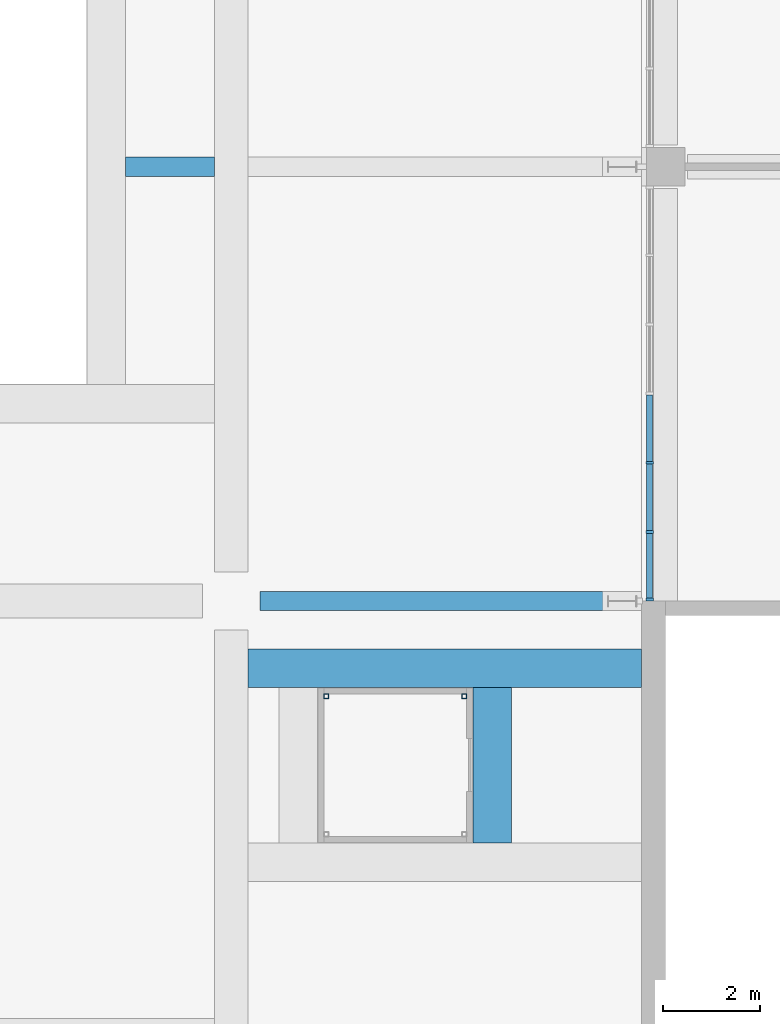
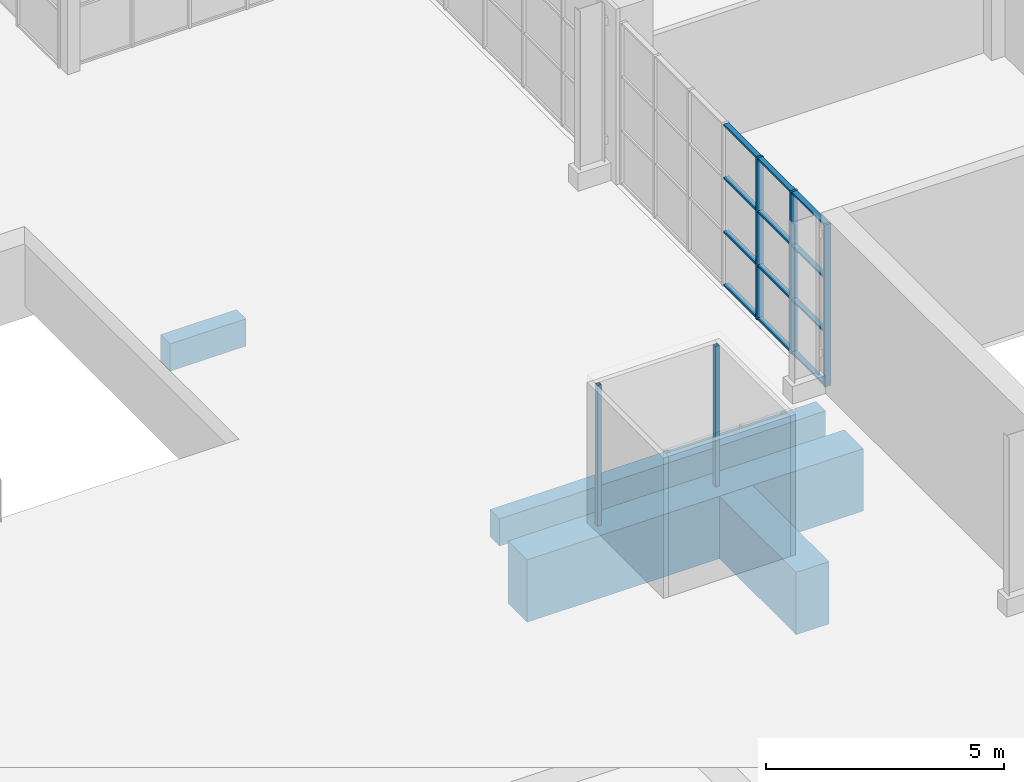
# One storey, part 21 of 168: 17 members, 4 beams, 1 element without a shape of its own.
"""IFC4 building model written with IfcOpenShell, lengths in metres."""

from ifc_helpers import new_model, si_unit, direction, frame, origin, origin_2d, place, context, subcontext, project, spatial, rectangle, hollow_rectangle, extrude, material, material_profile, profile_set, type_object, element, aggregate, save


model = new_model("IFC4")

# Units and contexts
model_context = context("Model", 3, precision=1e-05, world=origin(), true_north=direction((0.0, 1.0)))
body_context = subcontext(model_context, "Body", "Model", "MODEL_VIEW")
ifc_project = project(units=[si_unit("LENGTHUNIT", "METRE"), si_unit("AREAUNIT", "SQUARE_METRE"), si_unit("VOLUMEUNIT", "CUBIC_METRE"), si_unit("PLANEANGLEUNIT", "RADIAN"), si_unit("MASSUNIT", "GRAM", prefix="KILO")], contexts=[model_context])

# Site, building, storey
site_placement = place(None, origin())
site = spatial("IfcSite", under=ifc_project, at=site_placement, CompositionType="ELEMENT")
building_placement = place(site_placement, origin())
building = spatial("IfcBuilding", under=site, at=building_placement, Name="Silverbay Arena", CompositionType="ELEMENT")
storey_placement = place(building_placement, frame((0.0, 0.0, 7.0)))
storey = spatial("IfcBuildingStorey", under=building, at=storey_placement, Name="L01", CompositionType="ELEMENT", Elevation=7.0)

# Members
ifc_material_1 = material(Name="Steel S355", Category="steel")
ifc_material_profile_1 = material_profile(ifc_material_1, hollow_rectangle(XDim=0.10009765625, YDim=0.10009765625, WallThickness=0.006103515625, at=origin_2d()), Name="RHS 100x100x6")
ifc_profile_set_1 = profile_set([ifc_material_profile_1], Name="Steel S355")
member_type_1 = type_object("IfcMemberType", Name="Glazing post RHS 100 x 100 x 6", PredefinedType="POST", material=ifc_profile_set_1)
for number, where, z_axis, x_axis, name in (
    (1, (22.830078125, 34.030029296875, 0.0), (0.0, 0.0, 1.0), (1.0, 0.0, 0.0), "Glazing post LB-D1 3 L01"),
    (2, (19.969970703125, 34.030029296875, 0.0), (0.0, 0.0, 1.0), (1.0, 0.0, 0.0), "Glazing post LB-D1 4 L01"),
):
    element("IfcMember", number, at=place(storey_placement, frame(where, z_axis=z_axis, x_axis=x_axis)), inside=storey, type_object=member_type_1, Name=name, PredefinedType="POST", context=body_context, shape_type="SweptSolid", body=[
        extrude(hollow_rectangle(XDim=0.10009765625, YDim=0.10009765625, WallThickness=0.006103515625, at=origin_2d()), origin(), (0.0, 0.0, 1.0), 3.60009765625),
    ])

# Curtain wall, members
ifc_material_2 = material(Name="Aluminium framed curtain wall", Category="aluminium")
curtain_wall_type = type_object("IfcCurtainWallType", Name="Curtain wall 8600 x 4150", PredefinedType="NOTDEFINED", material=ifc_material_2)
curtain_wall_placement = place(storey_placement, origin())
curtain_wall = element("IfcCurtainWall", 3, at=curtain_wall_placement, inside=storey, type_object=curtain_wall_type, Name="West curtain wall L01 bay 3", PredefinedType="NOTDEFINED")
ifc_material_3 = material(Name="Aluminium", Category="aluminium")
ifc_material_profile_2 = material_profile(ifc_material_3, rectangle(XDim=0.159912109375, YDim=0.06005859375, at=origin_2d()), Name="Mullion 60 x 160")
ifc_profile_set_2 = profile_set([ifc_material_profile_2], Name="Aluminium")
member_type_2 = type_object("IfcMemberType", Name="Mullion 60 x 160", PredefinedType="MULLION", material=ifc_profile_set_2)
member_1_placement = place(storey_placement, frame((26.669921875, 38.86669921875, 0.0), z_axis=(0.0, 0.0, 1.0), x_axis=(1.0, 0.0, 0.0)))
member_1 = element("IfcMember", 4, at=member_1_placement, type_object=member_type_2, Name="CW6 mullion 5", PredefinedType="MULLION", context=body_context, shape_type="SweptSolid", body=[
    extrude(rectangle(XDim=0.159912109375, YDim=0.06005859375, at=origin_2d()), origin(), (0.0, 0.0, 1.0), 4.14990234375),
])
member_2_placement = place(storey_placement, frame((26.669921875, 37.433349609375, 0.0), z_axis=(0.0, 0.0, 1.0), x_axis=(1.0, 0.0, 0.0)))
member_2 = element("IfcMember", 5, at=member_2_placement, type_object=member_type_2, Name="CW6 mullion 6", PredefinedType="MULLION", context=body_context, shape_type="SweptSolid", body=[
    extrude(rectangle(XDim=0.159912109375, YDim=0.06005859375, at=origin_2d()), origin(), (0.0, 0.0, 1.0), 4.14990234375),
])
member_3_placement = place(storey_placement, frame((26.669921875, 36.030029296875, 0.0), z_axis=(0.0, 0.0, 1.0), x_axis=(1.0, 0.0, 0.0)))
member_3 = element("IfcMember", 6, at=member_3_placement, type_object=member_type_2, Name="CW6 mullion 7", PredefinedType="MULLION", context=body_context, shape_type="SweptSolid", body=[
    extrude(rectangle(XDim=0.159912109375, YDim=0.06005859375, at=origin_2d()), origin(), (0.0, 0.0, 1.0), 4.14990234375),
])

# Beams
ifc_material_4 = material(Name="Concrete Grade C45", Category="concrete")
ifc_material_profile_3 = material_profile(ifc_material_4, rectangle(XDim=0.39990234375, YDim=0.699951171875, at=origin_2d()), Name="RC 400x700")
ifc_profile_set_3 = profile_set([ifc_material_profile_3], Name="Concrete Grade C45")
beam_type_1 = type_object("IfcBeamType", Name="RC beam 400x700", PredefinedType="BEAM", material=ifc_profile_set_3)
beam_1_placement = place(storey_placement, frame((18.60009765625, 36.0, -0.800048828125), z_axis=(1.0, 0.0, 0.0), x_axis=(0.0, 1.0, 0.0)))
element("IfcBeam", 7, at=beam_1_placement, inside=storey, type_object=beam_type_1, Name="Deck row beam 072", PredefinedType="BEAM", context=body_context, shape_type="SweptSolid", body=[
    extrude(rectangle(XDim=0.39990234375, YDim=0.699951171875, at=origin_2d()), origin(), (0.0, 0.0, 1.0), 7.89990234375),
])
beam_2_placement = place(storey_placement, frame((15.81005859375, 45.0, -0.800048828125), z_axis=(1.0, 0.0, 0.0), x_axis=(0.0, 1.0, 0.0)))
element("IfcBeam", 8, at=beam_2_placement, inside=storey, type_object=beam_type_1, Name="Deck row beam 073", PredefinedType="BEAM", context=body_context, shape_type="SweptSolid", body=[
    extrude(rectangle(XDim=0.39990234375, YDim=0.699951171875, at=origin_2d()), origin(), (0.0, 0.0, 1.0), 1.83984375),
])
ifc_material_5 = material(Name="Concrete Grade C45", Category="concrete")
ifc_material_profile_4 = material_profile(ifc_material_5, rectangle(XDim=0.800048828125, YDim=1.60009765625, at=origin_2d()), Name="RC 800x1600")
ifc_profile_set_4 = profile_set([ifc_material_profile_4], Name="Concrete Grade C45")
beam_type_2 = type_object("IfcBeamType", Name="RC trimmer beam 800x1600", PredefinedType="BEAM", material=ifc_profile_set_4)
beam_3_placement = place(storey_placement, frame((18.35009765625, 34.610107421875, -1.25), z_axis=(1.0, 0.0, 0.0), x_axis=(0.0, 1.0, 0.0)))
element("IfcBeam", 9, at=beam_3_placement, inside=storey, type_object=beam_type_2, Name="Deck trimmer 060", PredefinedType="BEAM", context=body_context, shape_type="SweptSolid", body=[
    extrude(rectangle(XDim=0.800048828125, YDim=1.60009765625, at=origin_2d()), origin(), (0.0, 0.0, 1.0), 8.14990234375),
])
beam_4_placement = place(storey_placement, frame((23.409912109375, 30.989990234375, -1.25), z_axis=(0.0, 1.0, 0.0), x_axis=(-1.0, 0.0, 0.0)))
element("IfcBeam", 10, at=beam_4_placement, inside=storey, type_object=beam_type_2, Name="Deck head trimmer 062", PredefinedType="BEAM", context=body_context, shape_type="SweptSolid", body=[
    extrude(rectangle(XDim=0.800048828125, YDim=1.60009765625, at=origin_2d()), origin(), (0.0, 0.0, 1.0), 3.219970703125),
])

# Member
ifc_material_6 = material(Name="Aluminium", Category="aluminium")
ifc_material_profile_5 = material_profile(ifc_material_6, rectangle(XDim=0.1201171875, YDim=0.050048828125, at=origin_2d()), Name="Transom 50 x 120")
ifc_profile_set_5 = profile_set([ifc_material_profile_5], Name="Aluminium")
member_type_3 = type_object("IfcMemberType", Name="Transom 50 x 120", PredefinedType="USERDEFINED", material=ifc_profile_set_5)
member_4_placement = place(storey_placement, frame((26.669921875, 40.27001953125, 0.02490234375), z_axis=(0.0, -1.0, 0.0), x_axis=(1.0, 0.0, 0.0)))
member_4 = element("IfcMember", 11, at=member_4_placement, type_object=member_type_3, Name="CW6 transom 4.1", ObjectType="TRANSOM", PredefinedType="USERDEFINED", context=body_context, shape_type="SweptSolid", body=[
    extrude(rectangle(XDim=0.1201171875, YDim=0.050048828125, at=origin_2d()), origin(), (0.0, 0.0, 1.0), 1.373291015625),
])

member_5_placement = place(storey_placement, frame((26.669921875, 40.27001953125, 1.38330078125), z_axis=(0.0, -1.0, 0.0), x_axis=(1.0, 0.0, 0.0)))
member_5 = element("IfcMember", 12, at=member_5_placement, type_object=member_type_3, Name="CW6 transom 4.2", ObjectType="TRANSOM", PredefinedType="USERDEFINED", context=body_context, shape_type="SweptSolid", body=[
    extrude(rectangle(XDim=0.1201171875, YDim=0.050048828125, at=origin_2d()), origin(), (0.0, 0.0, 1.0), 1.373291015625),
])

member_6_placement = place(storey_placement, frame((26.669921875, 40.27001953125, 2.7666015625), z_axis=(0.0, -1.0, 0.0), x_axis=(1.0, 0.0, 0.0)))
member_6 = element("IfcMember", 13, at=member_6_placement, type_object=member_type_3, Name="CW6 transom 4.3", ObjectType="TRANSOM", PredefinedType="USERDEFINED", context=body_context, shape_type="SweptSolid", body=[
    extrude(rectangle(XDim=0.1201171875, YDim=0.050048828125, at=origin_2d()), origin(), (0.0, 0.0, 1.0), 1.373291015625),
])

member_7_placement = place(storey_placement, frame((26.669921875, 40.27001953125, 4.125), z_axis=(0.0, -1.0, 0.0), x_axis=(1.0, 0.0, 0.0)))
member_7 = element("IfcMember", 14, at=member_7_placement, type_object=member_type_3, Name="CW6 transom 4.4", ObjectType="TRANSOM", PredefinedType="USERDEFINED", context=body_context, shape_type="SweptSolid", body=[
    extrude(rectangle(XDim=0.1201171875, YDim=0.050048828125, at=origin_2d()), origin(), (0.0, 0.0, 1.0), 1.373291015625),
])

member_8_placement = place(storey_placement, frame((26.669921875, 38.836669921875, 0.02490234375), z_axis=(0.0, -1.0, 0.0), x_axis=(1.0, 0.0, 0.0)))
member_8 = element("IfcMember", 15, at=member_8_placement, type_object=member_type_3, Name="CW6 transom 5.1", ObjectType="TRANSOM", PredefinedType="USERDEFINED", context=body_context, shape_type="SweptSolid", body=[
    extrude(rectangle(XDim=0.1201171875, YDim=0.050048828125, at=origin_2d()), origin(), (0.0, 0.0, 1.0), 1.373291015625),
])

member_9_placement = place(storey_placement, frame((26.669921875, 38.836669921875, 1.38330078125), z_axis=(0.0, -1.0, 0.0), x_axis=(1.0, 0.0, 0.0)))
member_9 = element("IfcMember", 16, at=member_9_placement, type_object=member_type_3, Name="CW6 transom 5.2", ObjectType="TRANSOM", PredefinedType="USERDEFINED", context=body_context, shape_type="SweptSolid", body=[
    extrude(rectangle(XDim=0.1201171875, YDim=0.050048828125, at=origin_2d()), origin(), (0.0, 0.0, 1.0), 1.373291015625),
])

member_10_placement = place(storey_placement, frame((26.669921875, 38.836669921875, 2.7666015625), z_axis=(0.0, -1.0, 0.0), x_axis=(1.0, 0.0, 0.0)))
member_10 = element("IfcMember", 17, at=member_10_placement, type_object=member_type_3, Name="CW6 transom 5.3", ObjectType="TRANSOM", PredefinedType="USERDEFINED", context=body_context, shape_type="SweptSolid", body=[
    extrude(rectangle(XDim=0.1201171875, YDim=0.050048828125, at=origin_2d()), origin(), (0.0, 0.0, 1.0), 1.373291015625),
])

member_11_placement = place(storey_placement, frame((26.669921875, 38.836669921875, 4.125), z_axis=(0.0, -1.0, 0.0), x_axis=(1.0, 0.0, 0.0)))
member_11 = element("IfcMember", 18, at=member_11_placement, type_object=member_type_3, Name="CW6 transom 5.4", ObjectType="TRANSOM", PredefinedType="USERDEFINED", context=body_context, shape_type="SweptSolid", body=[
    extrude(rectangle(XDim=0.1201171875, YDim=0.050048828125, at=origin_2d()), origin(), (0.0, 0.0, 1.0), 1.373291015625),
])

member_12_placement = place(storey_placement, frame((26.669921875, 37.4033203125, 0.02490234375), z_axis=(0.0, -1.0, 0.0), x_axis=(1.0, 0.0, 0.0)))
member_12 = element("IfcMember", 19, at=member_12_placement, type_object=member_type_3, Name="CW6 transom 6.1", ObjectType="TRANSOM", PredefinedType="USERDEFINED", context=body_context, shape_type="SweptSolid", body=[
    extrude(rectangle(XDim=0.1201171875, YDim=0.050048828125, at=origin_2d()), origin(), (0.0, 0.0, 1.0), 1.34326171875),
])

member_13_placement = place(storey_placement, frame((26.669921875, 37.4033203125, 1.38330078125), z_axis=(0.0, -1.0, 0.0), x_axis=(1.0, 0.0, 0.0)))
member_13 = element("IfcMember", 20, at=member_13_placement, type_object=member_type_3, Name="CW6 transom 6.2", ObjectType="TRANSOM", PredefinedType="USERDEFINED", context=body_context, shape_type="SweptSolid", body=[
    extrude(rectangle(XDim=0.1201171875, YDim=0.050048828125, at=origin_2d()), origin(), (0.0, 0.0, 1.0), 1.34326171875),
])

member_14_placement = place(storey_placement, frame((26.669921875, 37.4033203125, 2.7666015625), z_axis=(0.0, -1.0, 0.0), x_axis=(1.0, 0.0, 0.0)))
member_14 = element("IfcMember", 21, at=member_14_placement, type_object=member_type_3, Name="CW6 transom 6.3", ObjectType="TRANSOM", PredefinedType="USERDEFINED", context=body_context, shape_type="SweptSolid", body=[
    extrude(rectangle(XDim=0.1201171875, YDim=0.050048828125, at=origin_2d()), origin(), (0.0, 0.0, 1.0), 1.34326171875),
])

member_15_placement = place(storey_placement, frame((26.669921875, 37.4033203125, 4.125), z_axis=(0.0, -1.0, 0.0), x_axis=(1.0, 0.0, 0.0)))
member_15 = element("IfcMember", 22, at=member_15_placement, type_object=member_type_3, Name="CW6 transom 6.4", ObjectType="TRANSOM", PredefinedType="USERDEFINED", context=body_context, shape_type="SweptSolid", body=[
    extrude(rectangle(XDim=0.1201171875, YDim=0.050048828125, at=origin_2d()), origin(), (0.0, 0.0, 1.0), 1.34326171875),
])

aggregate(curtain_wall, [member_1, member_2, member_3, member_4, member_5, member_6, member_7, member_8, member_9, member_10, member_11, member_12, member_13, member_14, member_15])

save(model, "model.ifc")
